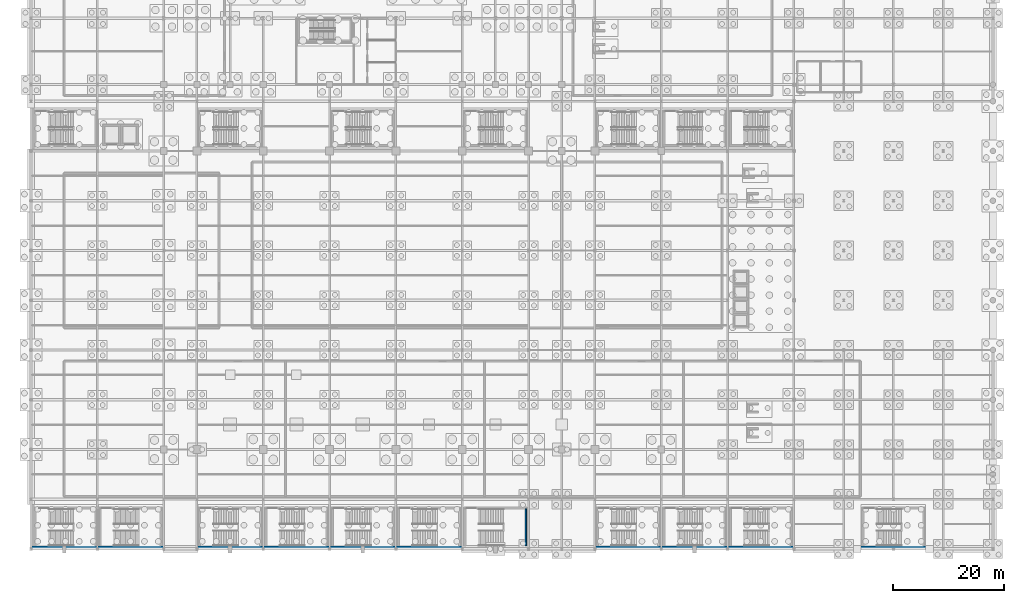
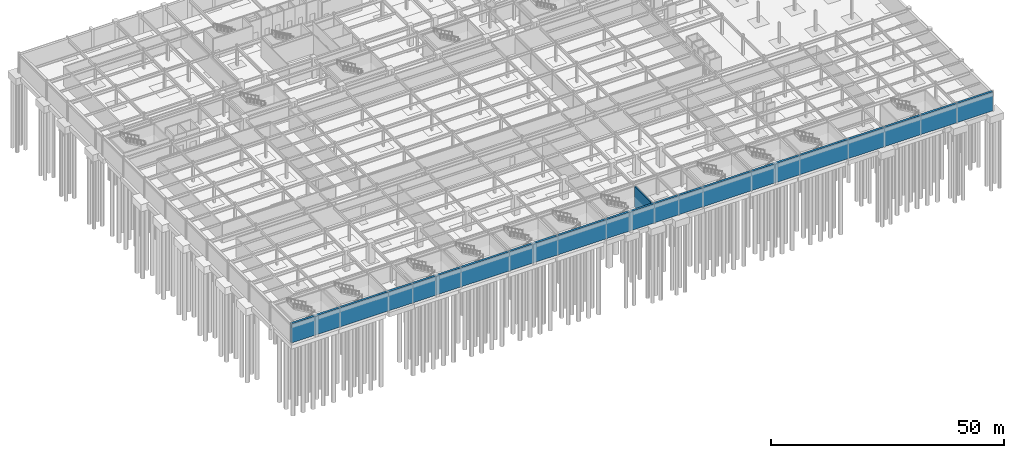
# One storey, part 26 of 47: 2 walls.
"""IFC4 building model written with IfcOpenShell, lengths in metres."""

from ifc_helpers import new_model, si_unit, direction, frame, frame_2d, origin, place, context, subcontext, project, spatial, rectangle, extrude, material, layer, layer_set, type_object, element, save


model = new_model("IFC4")

# Units and contexts
model_context = context("Model", 3, precision=1e-05, world=origin(), true_north=direction((0.0, 1.0)))
body_context = subcontext(model_context, "Body", "Model", "MODEL_VIEW")
ifc_project = project(units=[si_unit("LENGTHUNIT", "METRE"), si_unit("AREAUNIT", "SQUARE_METRE"), si_unit("VOLUMEUNIT", "CUBIC_METRE"), si_unit("PLANEANGLEUNIT", "RADIAN"), si_unit("MASSUNIT", "GRAM", prefix="KILO")], contexts=[model_context])

# Site, building, storey
site_placement = place(None, origin())
site = spatial("IfcSite", under=ifc_project, at=site_placement, CompositionType="ELEMENT")
building_placement = place(site_placement, origin())
building = spatial("IfcBuilding", under=site, at=building_placement, Name="Kaldorvane Square Convention Centre", CompositionType="ELEMENT")
storey_placement = place(building_placement, frame((0.0, 0.0, -5.399993896484375)))
storey = spatial("IfcBuildingStorey", under=building, at=storey_placement, Name="B01", CompositionType="ELEMENT", Elevation=-5.399993896484375)

# Walls
ifc_material_1 = material(Name="Concrete f'c = 42 MPa (Normalweight)", Category="concrete")
ifc_layer_1 = layer(ifc_material_1, 0.5500030517578125)
ifc_layer_set_1 = layer_set([ifc_layer_1], Name="Concrete f'c = 42 MPa (Normalweight)")
wall_type_1 = type_object("IfcWallType", Name="WL-RET-550", PredefinedType="SOLIDWALL", material=ifc_layer_set_1)
wall_1_placement = place(storey_placement, frame((0.0, 0.274993896484375, 0.0), z_axis=(0.0, 0.0, 1.0), x_axis=(1.0, 0.0, 0.0)))
element("IfcWall", 1, at=wall_1_placement, inside=storey, type_object=wall_type_1, Name="Basement Perimeter Retaining Wall S", PredefinedType="SOLIDWALL", context=body_context, shape_type="SweptSolid", body=[
    extrude(rectangle(XDim=174.0, YDim=0.5500030517578125, at=frame_2d((87.0, 0.0))), origin(), (0.0, 0.0, 1.0), 5.019989013671875),
])
ifc_material_2 = material(Name="Concrete f'c = 55 MPa (Normalweight)", Category="concrete")
ifc_layer_2 = layer(ifc_material_2, 0.3000030517578125)
ifc_layer_set_2 = layer_set([ifc_layer_2], Name="Concrete f'c = 55 MPa (Normalweight)")
wall_type_2 = type_object("IfcWallType", Name="WL-SHAFT-300", PredefinedType="SHEAR", material=ifc_layer_set_2)
wall_2_placement = place(storey_placement, frame((89.50999450683594, 0.5500030517578125, 0.0), z_axis=(0.0, 0.0, 1.0), x_axis=(0.0, 1.0, 0.0)))
element("IfcWall", 2, at=wall_2_placement, inside=storey, type_object=wall_type_2, Name="Core Enclosure Wall stair:ST-C7-E (B01)", PredefinedType="SHEAR", context=body_context, shape_type="SweptSolid", body=[
    extrude(rectangle(XDim=6.709991455078125, YDim=0.3000030517578125, at=frame_2d((3.3549957275390625, 0.0))), origin(), (0.0, 0.0, 1.0), 5.399993896484375),
])

save(model, "model.ifc")
